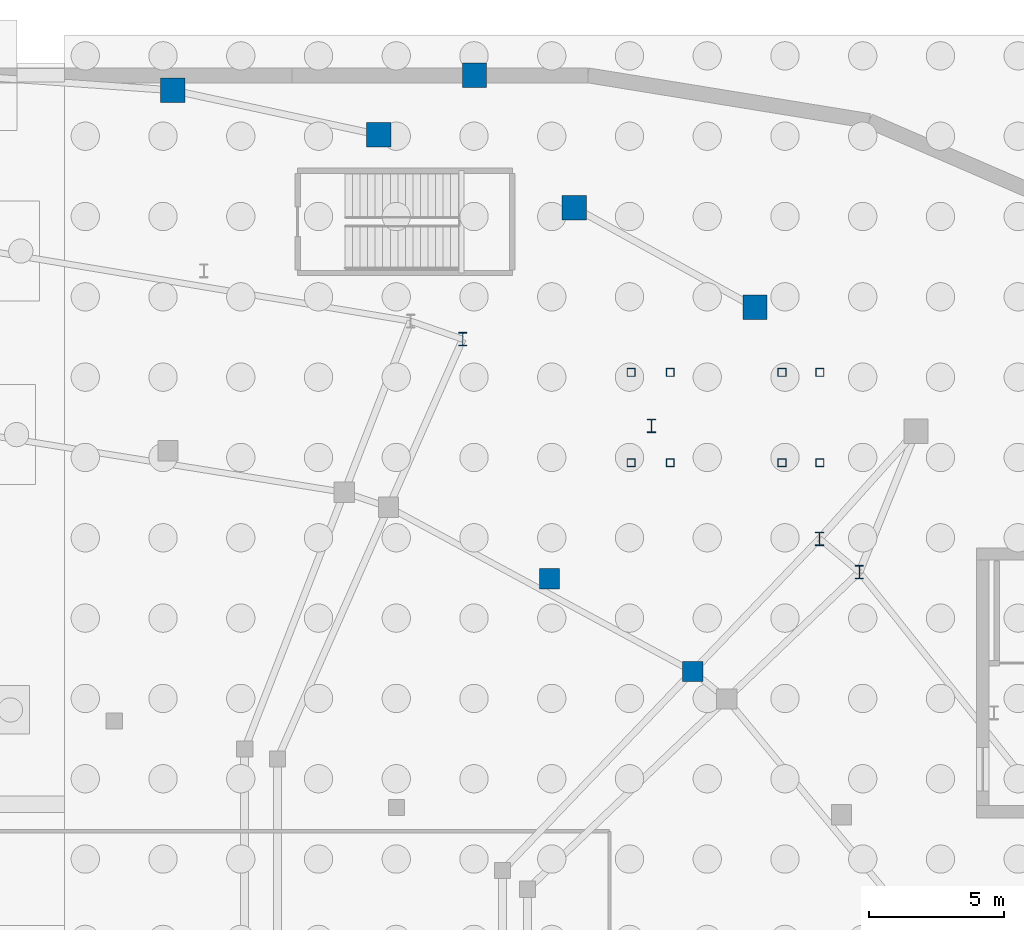
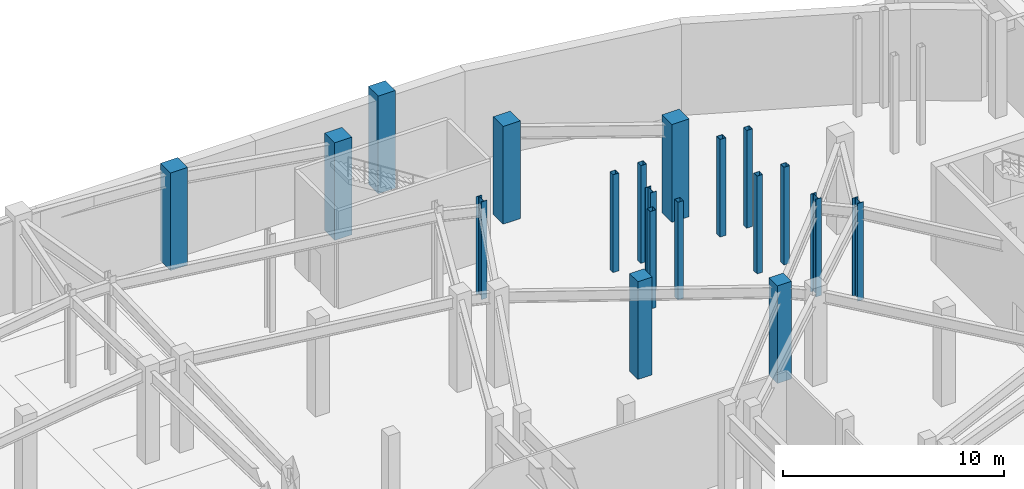
# One storey, part 24 of 56: 19 columns.
"""IFC4 building model written with IfcOpenShell, lengths in metres."""

from ifc_helpers import new_model, si_unit, direction, frame, origin, origin_2d, place, context, subcontext, project, spatial, rectangle, hollow_rectangle, i_section, extrude, material, material_profile, profile_set, type_object, element, save


model = new_model("IFC4")

# Units and contexts
model_context = context("Model", 3, precision=1e-05, world=origin(), true_north=direction((0.0, 1.0)))
body_context = subcontext(model_context, "Body", "Model", "MODEL_VIEW")
ifc_project = project(units=[si_unit("LENGTHUNIT", "METRE"), si_unit("AREAUNIT", "SQUARE_METRE"), si_unit("VOLUMEUNIT", "CUBIC_METRE"), si_unit("PLANEANGLEUNIT", "RADIAN"), si_unit("MASSUNIT", "GRAM", prefix="KILO")], contexts=[model_context])

# Site, building, storey
site_placement = place(None, origin())
site = spatial("IfcSite", under=ifc_project, at=site_placement, CompositionType="ELEMENT")
building_placement = place(site_placement, origin())
building = spatial("IfcBuilding", under=site, at=building_placement, Name="Glasvene Arena", CompositionType="ELEMENT")
storey_placement = place(building_placement, frame((0.0, 0.0, -5.39990234375)))
storey = spatial("IfcBuildingStorey", under=building, at=storey_placement, Name="B1", CompositionType="ELEMENT", Elevation=-5.39990234375)

# Columns
ifc_material_1 = material(Name="Concrete C40/50", Category="concrete")
ifc_material_profile_1 = material_profile(ifc_material_1, rectangle(XDim=0.89990234375, YDim=0.89990234375, at=origin_2d()), Name="RC 900x900")
ifc_profile_set_1 = profile_set([ifc_material_profile_1], Name="Concrete C40/50")
column_type_1 = type_object("IfcColumnType", Name="COL-BOWL-RC900", PredefinedType="COLUMN", material=ifc_profile_set_1)
for number, where, z_axis, x_axis, name in (
    (1, (121.389404296875, 109.40576171875, 0.0), (0.0, 0.0, 1.0), (1.0, 0.0, 0.0), "Bowl ring column R07 B1"),
    (2, (114.699462890625, 113.09521484375, 0.0), (0.0, 0.0, 1.0), (1.0, 0.0, 0.0), "Bowl ring column R08 B1"),
    (3, (107.45068359375, 115.797607421875, 0.0), (0.0, 0.0, 1.0), (1.0, 0.0, 0.0), "Bowl ring column R09 B1"),
    (4, (99.82177734375, 117.446044921875, 0.0), (0.0, 0.0, 1.0), (1.0, 0.0, 0.0), "Bowl ring column R10 B1"),
    (5, (111.0, 118.0, 0.0), (0.0, 0.0, 1.0), (1.0, 0.0, 0.0), "Grid column 13-14 B1"),
):
    element("IfcColumn", number, at=place(storey_placement, frame(where, z_axis=z_axis, x_axis=x_axis)), inside=storey, type_object=column_type_1, Name=name, PredefinedType="COLUMN", context=body_context, shape_type="SweptSolid", body=[
        extrude(rectangle(XDim=0.89990234375, YDim=0.89990234375, at=origin_2d()), origin(), (0.0, 0.0, 1.0), 5.39990234375),
    ])
ifc_material_profile_2 = material_profile(ifc_material_1, rectangle(XDim=0.75, YDim=0.75, at=origin_2d()), Name="RC 750x750")
ifc_profile_set_2 = profile_set([ifc_material_profile_2], Name="Concrete C40/50")
column_type_2 = type_object("IfcColumnType", Name="COL-MID-RC750", PredefinedType="COLUMN", material=ifc_profile_set_2)
for number, where, z_axis, x_axis, name in (
    (6, (119.08251953125, 95.918212890625, 0.0), (0.0, 0.0, 1.0), (1.0, 0.0, 0.0), "Mid-bowl fulcrum column B1 03-1"),
    (7, (113.7783203125, 99.357666015625, 0.0), (0.0, 0.0, 1.0), (1.0, 0.0, 0.0), "Mid-sector fulcrum column B1 03"),
):
    element("IfcColumn", number, at=place(storey_placement, frame(where, z_axis=z_axis, x_axis=x_axis)), inside=storey, type_object=column_type_2, Name=name, PredefinedType="COLUMN", context=body_context, shape_type="SweptSolid", body=[
        extrude(rectangle(XDim=0.75, YDim=0.75, at=origin_2d()), origin(), (0.0, 0.0, 1.0), 5.39990234375),
    ])
ifc_material_2 = material(Name="Steel S355J2", Category="steel")
ifc_material_profile_3 = material_profile(ifc_material_2, i_section(OverallWidth=0.300048828125, OverallDepth=0.5, WebThickness=0.014404296875, FlangeThickness=0.028076171875, FilletRadius=0.027099609375, at=origin_2d()), Name="HEB 500")
ifc_profile_set_3 = profile_set([ifc_material_profile_3], Name="Steel S355J2")
column_type_3 = type_object("IfcColumnType", Name="COL-W-HEB500", PredefinedType="COLUMN", material=ifc_profile_set_3)
for number, where, z_axis, x_axis, name in (
    (8, (125.256591796875, 99.59912109375, 0.0), (0.0, 0.0, 1.0), (1.0, 0.0, 0.0), "Upper raker rear column B1 02-2"),
    (9, (123.780517578125, 100.834228515625, 0.0), (0.0, 0.0, 1.0), (1.0, 0.0, 0.0), "Upper raker rear column B1 03-1"),
    (10, (110.56298828125, 108.225830078125, 0.0), (0.0, 0.0, 1.0), (1.0, 0.0, 0.0), "Upper raker rear column B1 03-2"),
    (11, (117.55615234375, 105.01171875, 0.0), (0.0, 0.0, 1.0), (1.0, 0.0, 0.0), "Mid-sector rear raker column B1 03"),
):
    element("IfcColumn", number, at=place(storey_placement, frame(where, z_axis=z_axis, x_axis=x_axis)), inside=storey, type_object=column_type_3, Name=name, PredefinedType="COLUMN", context=body_context, shape_type="SweptSolid", body=[
        extrude(i_section(OverallWidth=0.300048828125, OverallDepth=0.5, WebThickness=0.014404296875, FlangeThickness=0.028076171875, FilletRadius=0.027099609375, at=origin_2d()), origin(), (0.0, 0.0, 1.0), 5.39990234375),
    ])
ifc_material_profile_4 = material_profile(ifc_material_2, hollow_rectangle(XDim=0.300048828125, YDim=0.300048828125, WallThickness=0.012451171875, at=origin_2d()), Name="SHS 300x300x12.5")
ifc_profile_set_4 = profile_set([ifc_material_profile_4], Name="Steel S355J2")
column_type_4 = type_object("IfcColumnType", Name="COL-W-SHS300", PredefinedType="COLUMN", material=ifc_profile_set_4)
for number, where, z_axis, x_axis, name in (
    (12, (116.800048828125, 103.64990234375, 0.0), (0.0, 0.0, 1.0), (1.0, 0.0, 0.0), "Vomitory arrival support column VOM-08 B1"),
    (13, (116.800048828125, 107.0, 0.0), (0.0, 0.0, 1.0), (1.0, 0.0, 0.0), "Vomitory arrival support column VOM-08 B1"),
    (14, (118.25, 103.64990234375, 0.0), (0.0, 0.0, 1.0), (1.0, 0.0, 0.0), "Vomitory arrival support column VOM-08 B1"),
    (15, (118.25, 107.0, 0.0), (0.0, 0.0, 1.0), (1.0, 0.0, 0.0), "Vomitory arrival support column VOM-08 B1"),
    (16, (122.389892578125, 103.64990234375, 0.0), (0.0, 0.0, 1.0), (1.0, 0.0, 0.0), "Vomitory landing column VOM-08 B1"),
    (17, (122.389892578125, 107.0, 0.0), (0.0, 0.0, 1.0), (1.0, 0.0, 0.0), "Vomitory landing column VOM-08 B1"),
    (18, (123.7900390625, 103.64990234375, 0.0), (0.0, 0.0, 1.0), (1.0, 0.0, 0.0), "Vomitory landing column VOM-08 B1"),
    (19, (123.7900390625, 107.0, 0.0), (0.0, 0.0, 1.0), (1.0, 0.0, 0.0), "Vomitory landing column VOM-08 B1"),
):
    element("IfcColumn", number, at=place(storey_placement, frame(where, z_axis=z_axis, x_axis=x_axis)), inside=storey, type_object=column_type_4, Name=name, PredefinedType="COLUMN", context=body_context, shape_type="SweptSolid", body=[
        extrude(hollow_rectangle(XDim=0.300048828125, YDim=0.300048828125, WallThickness=0.012451171875, at=origin_2d()), origin(), (0.0, 0.0, 1.0), 5.39990234375),
    ])

save(model, "model.ifc")
